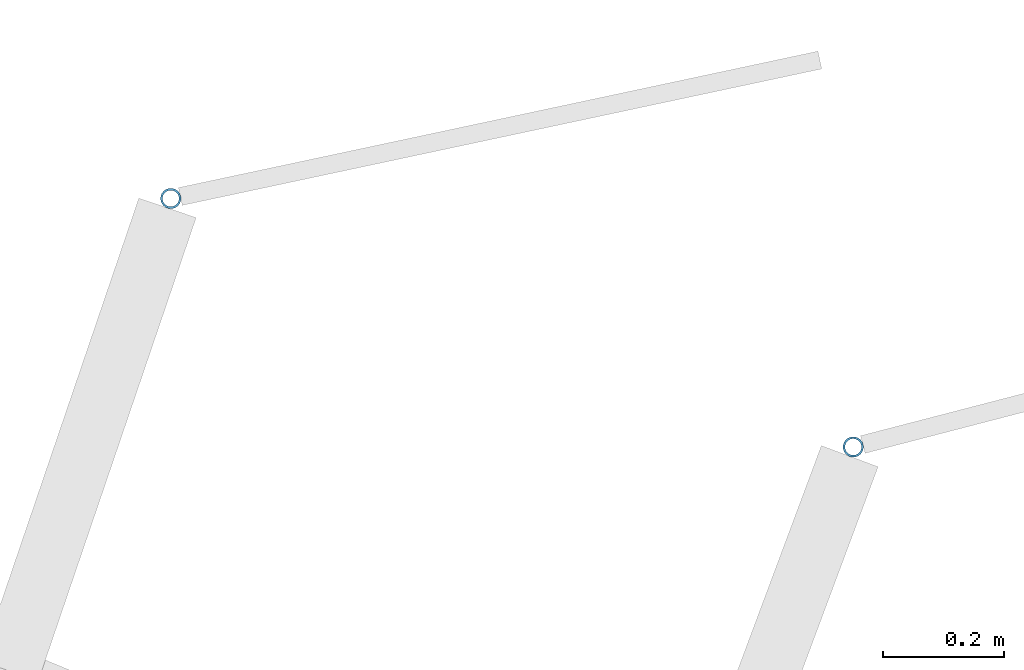
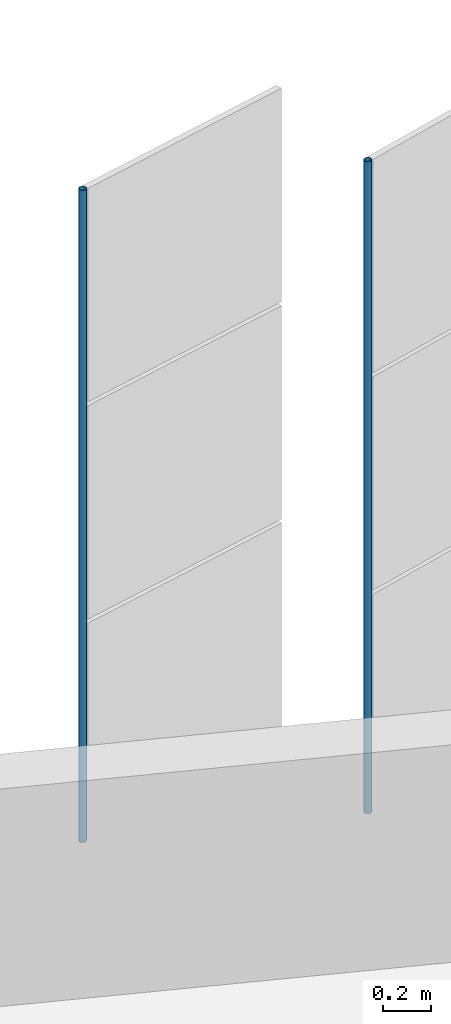
# One storey, part 159 of 199: 2 discrete accessories.
"""IFC4 building model written with IfcOpenShell, lengths in metres."""

from ifc_helpers import new_model, si_unit, direction, frame, origin, origin_2d, place, context, subcontext, project, spatial, hollow_circle, extrude, material, material_profile, profile_set, type_object, element, save


model = new_model("IFC4")

# Units and contexts
model_context = context("Model", 3, precision=1e-05, world=origin(), true_north=direction((0.0, 1.0)))
body_context = subcontext(model_context, "Body", "Model", "MODEL_VIEW")
ifc_project = project(units=[si_unit("LENGTHUNIT", "METRE"), si_unit("AREAUNIT", "SQUARE_METRE"), si_unit("VOLUMEUNIT", "CUBIC_METRE"), si_unit("PLANEANGLEUNIT", "RADIAN"), si_unit("MASSUNIT", "GRAM", prefix="KILO")], contexts=[model_context])

# Site, building, storey
site_placement = place(None, origin())
site = spatial("IfcSite", under=ifc_project, at=site_placement, CompositionType="ELEMENT")
building_placement = place(site_placement, origin())
building = spatial("IfcBuilding", under=site, at=building_placement, Name="Parallax Yard Mobility Hub", CompositionType="ELEMENT")
storey_placement = place(building_placement, frame((0.0, 0.0, 9.89990234375)))
storey = spatial("IfcBuildingStorey", under=building, at=storey_placement, Name="L03", CompositionType="ELEMENT", Elevation=9.89990234375)

# Discrete accessories
ifc_material = material(Name="Steel ASTM A500 Gr C, hot-dip galvanised", Category="steel")
ifc_material_profile = material_profile(ifc_material, hollow_circle(Radius=0.016845703125, WallThickness=0.003173828125, at=origin_2d()), Name="CHS 33.7x3.2")
ifc_profile_set = profile_set([ifc_material_profile], Name="Steel ASTM A500 Gr C, hot-dip galvanised")
discrete_accessory_type = type_object("IfcDiscreteAccessoryType", Name="Hinge post CHS 33.7x3.2", PredefinedType="BRACKET", material=ifc_profile_set)
for number, where, z_axis, x_axis, name in (
    (1, (191.233642578125, 139.919189453125, 0.0), (0.0, 0.0, 1.0), (1.0, 0.0, 0.0), "Hinge post bay 48.6 level L03"),
    (2, (190.1064453125, 140.32958984375, 0.0), (0.0, 0.0, 1.0), (1.0, 0.0, 0.0), "Hinge post bay 48.7 level L03"),
):
    element("IfcDiscreteAccessory", number, at=place(storey_placement, frame(where, z_axis=z_axis, x_axis=x_axis)), inside=storey, type_object=discrete_accessory_type, Name=name, PredefinedType="BRACKET", context=body_context, shape_type="SweptSolid", body=[
        extrude(hollow_circle(Radius=0.016845703125, WallThickness=0.003173828125, at=origin_2d()), origin(), (0.0, 0.0, 1.0), 3.300048828125),
    ])

save(model, "model.ifc")
